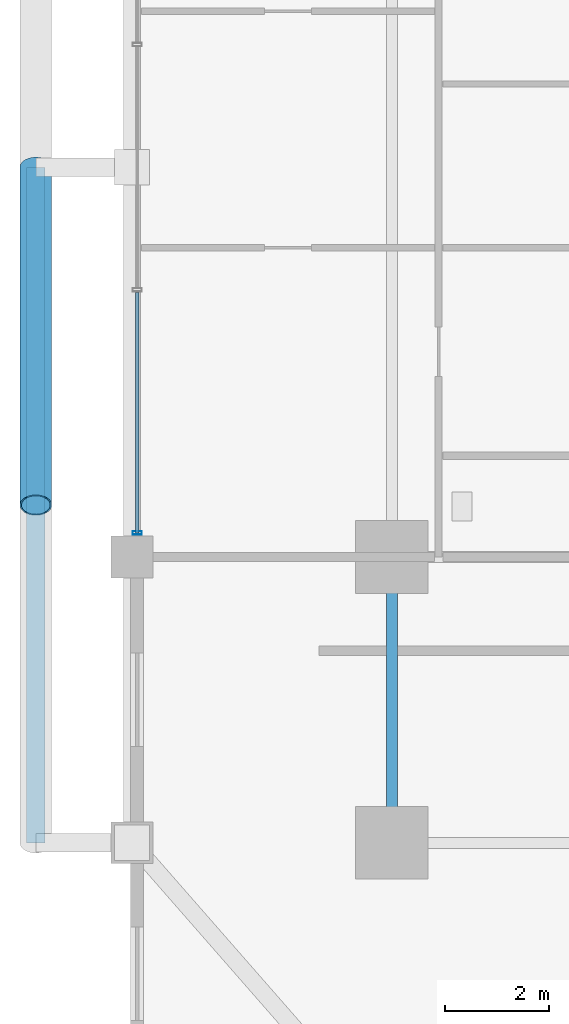
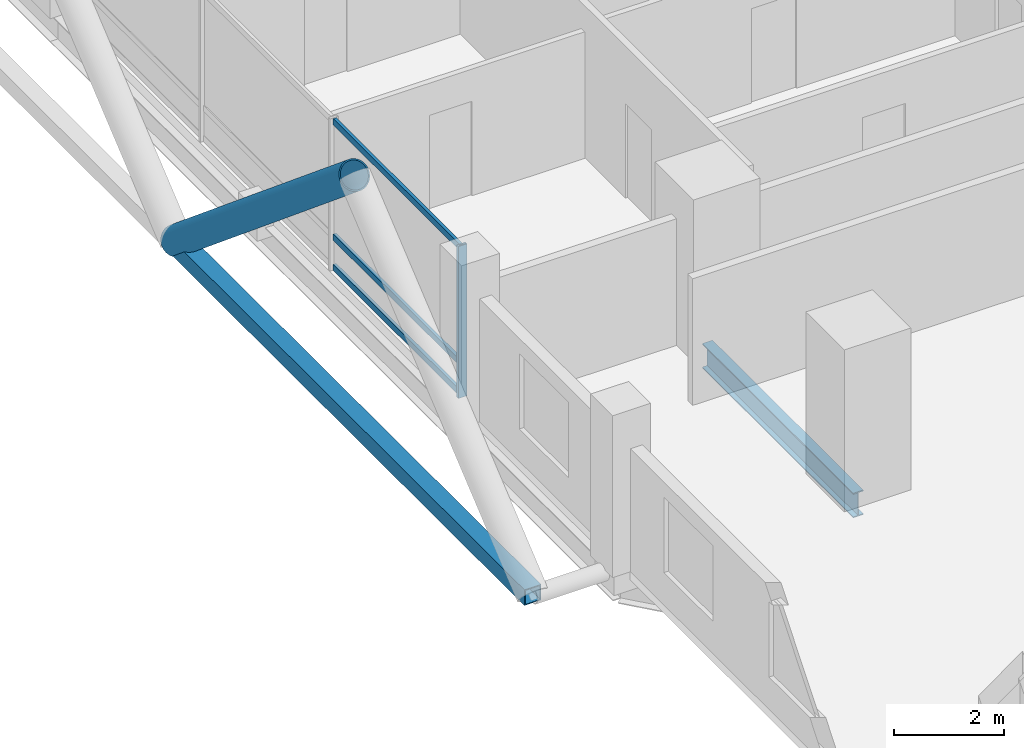
# One storey, part 6 of 27: 6 members, 1 beam, 1 element without a shape of its own.
"""IFC4 building model written with IfcOpenShell, lengths in metres."""

from ifc_helpers import new_model, si_unit, direction, frame, origin, origin_2d, place, context, subcontext, project, spatial, hollow_rectangle, hollow_circle, i_section, extrude, material, layer, layer_set, material_profile, profile_set, type_object, element, aggregate, save


model = new_model("IFC4")

# Units and contexts
model_context = context("Model", 3, precision=1e-05, world=origin(), true_north=direction((0.0, 1.0)))
body_context = subcontext(model_context, "Body", "Model", "MODEL_VIEW")
ifc_project = project(units=[si_unit("LENGTHUNIT", "METRE"), si_unit("AREAUNIT", "SQUARE_METRE"), si_unit("VOLUMEUNIT", "CUBIC_METRE"), si_unit("PLANEANGLEUNIT", "RADIAN"), si_unit("MASSUNIT", "GRAM", prefix="KILO")], contexts=[model_context])

# Site, building, storey
site_placement = place(None, origin())
site = spatial("IfcSite", under=ifc_project, at=site_placement, CompositionType="ELEMENT")
building_placement = place(site_placement, origin())
building = spatial("IfcBuilding", under=site, at=building_placement, Name="Barlavira Tower and Art Museum", CompositionType="ELEMENT")
storey_placement = place(building_placement, frame((0.0, 0.0, 61.199951171875)))
storey = spatial("IfcBuildingStorey", under=building, at=storey_placement, Name="L14", CompositionType="ELEMENT", Elevation=61.199951171875)

# Curtain wall, members
ifc_material_1 = material(Name="Low-iron coastal laminated glass", Category="glass")
ifc_layer = layer(ifc_material_1, 0.179931640625, Name="Low-iron coastal laminated glass")
ifc_layer_set = layer_set([ifc_layer], Name="Low-iron coastal laminated glass")
curtain_wall_type = type_object("IfcCurtainWallType", Name="Pale-Metal Unitised Curtain Wall Zone 1", PredefinedType="NOTDEFINED", material=ifc_layer_set)
curtain_wall_placement = place(storey_placement, origin())
curtain_wall = element("IfcCurtainWall", 1, at=curtain_wall_placement, inside=storey, type_object=curtain_wall_type, Name="L14 Curtain Wall CW1-L14-W-B3", PredefinedType="NOTDEFINED")
ifc_material_2 = material(Name="Pale anodised aluminium", Category="aluminium")
ifc_material_profile_1 = material_profile(ifc_material_2, hollow_rectangle(XDim=0.06494140625, YDim=0.179931640625, WallThickness=0.00390625, at=origin_2d()), Name="ALU-MULL 65x180x4")
ifc_profile_set_1 = profile_set([ifc_material_profile_1], Name="Pale anodised aluminium")
member_type_1 = type_object("IfcMemberType", Name="Curtain Wall Pale-Metal Mullion 65x180", PredefinedType="MULLION", material=ifc_profile_set_1)
member_1_placement = place(storey_placement, frame((-21.89990234375, -7.034912109375, 0.0), z_axis=(0.0, 0.0, 1.0), x_axis=(0.0, -1.0, 0.0)))
member_1 = element("IfcMember", 2, at=member_1_placement, type_object=member_type_1, Name="CW1-L14-W-B3 Mullion 3", PredefinedType="MULLION", context=body_context, shape_type="SweptSolid", body=[
    extrude(hollow_rectangle(XDim=0.06494140625, YDim=0.179931640625, WallThickness=0.00390625, at=origin_2d()), origin(), (0.0, 0.0, 1.0), 3.380126953125),
])
ifc_material_profile_2 = material_profile(ifc_material_2, hollow_rectangle(XDim=0.06494140625, YDim=0.139892578125, WallThickness=0.00390625, at=origin_2d()), Name="ALU-TRAN 65x140x4")
ifc_profile_set_2 = profile_set([ifc_material_profile_2], Name="Pale anodised aluminium")
member_type_2 = type_object("IfcMemberType", Name="Curtain Wall Pale-Metal Transom 65x140", PredefinedType="USERDEFINED", material=ifc_profile_set_2)
member_2_placement = place(storey_placement, frame((-21.89990234375, -2.405029296875, 0.070068359375), z_axis=(0.0, -1.0, 0.0), x_axis=(1.0, 0.0, 0.0)))
member_2 = element("IfcMember", 3, at=member_2_placement, type_object=member_type_2, Name="CW1-L14-W-B3 Transom 2.1", ObjectType="TRANSOM", PredefinedType="USERDEFINED", context=body_context, shape_type="SweptSolid", body=[
    extrude(hollow_rectangle(XDim=0.06494140625, YDim=0.139892578125, WallThickness=0.00390625, at=origin_2d()), origin(), (0.0, 0.0, 1.0), 4.6298828125),
])
member_3_placement = place(storey_placement, frame((-21.89990234375, -2.405029296875, 0.744140625), z_axis=(0.0, -1.0, 0.0), x_axis=(1.0, 0.0, 0.0)))
member_3 = element("IfcMember", 4, at=member_3_placement, type_object=member_type_2, Name="CW1-L14-W-B3 Transom 2.2", ObjectType="TRANSOM", PredefinedType="USERDEFINED", context=body_context, shape_type="SweptSolid", body=[
    extrude(hollow_rectangle(XDim=0.06494140625, YDim=0.139892578125, WallThickness=0.00390625, at=origin_2d()), origin(), (0.0, 0.0, 1.0), 4.6298828125),
])
member_4_placement = place(storey_placement, frame((-21.89990234375, -2.405029296875, 3.31005859375), z_axis=(0.0, -1.0, 0.0), x_axis=(1.0, 0.0, 0.0)))
member_4 = element("IfcMember", 5, at=member_4_placement, type_object=member_type_2, Name="CW1-L14-W-B3 Transom 2.3", ObjectType="TRANSOM", PredefinedType="USERDEFINED", context=body_context, shape_type="SweptSolid", body=[
    extrude(hollow_rectangle(XDim=0.06494140625, YDim=0.139892578125, WallThickness=0.00390625, at=origin_2d()), origin(), (0.0, 0.0, 1.0), 4.6298828125),
])
aggregate(curtain_wall, [member_1, member_2, member_3, member_4])

# Members
ifc_material_3 = material(Name="Steel S355", Category="steel")
ifc_material_profile_3 = material_profile(ifc_material_3, hollow_circle(Radius=0.304931640625, WallThickness=0.028076171875, at=origin_2d()), Name="CHS 610.0x28.0")
ifc_profile_set_3 = profile_set([ifc_material_profile_3], Name="Steel S355")
member_type_3 = type_object("IfcMemberType", Name="Pale-Metal Exoskeleton Diagrid Tube CHS 610x28 Steel S355", PredefinedType="BRACE", material=ifc_profile_set_3)
member_5_placement = place(storey_placement, frame((-23.85009765625, 0.0, -0.119873046875), z_axis=(0.0, -0.769196053329, 0.639012857104), x_axis=(1.0, 0.0, 0.0)))
element("IfcMember", 6, at=member_5_placement, inside=storey, type_object=member_type_3, Name="L14 Exoskeleton Diagrid Tube W", PredefinedType="BRACE", context=body_context, shape_type="SweptSolid", body=[
    extrude(hollow_circle(Radius=0.304931640625, WallThickness=0.028076171875, at=origin_2d()), origin(), (0.0, 0.0, 1.0), 8.450439453125),
])
ifc_material_profile_4 = material_profile(ifc_material_3, hollow_rectangle(XDim=0.35009765625, YDim=0.35009765625, WallThickness=0.02001953125, at=origin_2d()), Name="SHS 350x350x20.0")
ifc_profile_set_4 = profile_set([ifc_material_profile_4], Name="Steel S355")
member_type_4 = type_object("IfcMemberType", Name="Pale-Metal Exoskeleton Ring Strut SHS 350x350x20 Steel S355", PredefinedType="STRUT", material=ifc_profile_set_4)
member_6_placement = place(storey_placement, frame((-23.85009765625, -13.0, -0.119873046875), z_axis=(0.0, 1.0, 0.0), x_axis=(-1.0, 0.0, 0.0)))
element("IfcMember", 7, at=member_6_placement, inside=storey, type_object=member_type_4, Name="L14 Exoskeleton Ring Strut W", PredefinedType="STRUT", context=body_context, shape_type="SweptSolid", body=[
    extrude(hollow_rectangle(XDim=0.35009765625, YDim=0.35009765625, WallThickness=0.02001953125, at=origin_2d()), origin(), (0.0, 0.0, 1.0), 13.0),
])

# Beam
ifc_material_profile_5 = material_profile(ifc_material_3, i_section(OverallWidth=0.214111328125, OverallDepth=0.549072265625, WebThickness=0.0146484375, FlangeThickness=0.023681640625, at=origin_2d()), Name="W530x138.0")
ifc_profile_set_5 = profile_set([ifc_material_profile_5], Name="Steel S355")
beam_type = type_object("IfcBeamType", Name="Zone 1 Primary Floor Girder W530x138 Steel S355", PredefinedType="BEAM", material=ifc_profile_set_5)
beam_placement = place(storey_placement, frame((-17.0, -13.0, -0.494384765625), z_axis=(0.0, 1.0, 0.0), x_axis=(-1.0, 0.0, 0.0)))
element("IfcBeam", 8, at=beam_placement, inside=storey, type_object=beam_type, Name="L14 Girder M-W1", PredefinedType="BEAM", context=body_context, shape_type="SweptSolid", body=[
    extrude(i_section(OverallWidth=0.214111328125, OverallDepth=0.549072265625, WebThickness=0.0146484375, FlangeThickness=0.023681640625, at=origin_2d()), origin(), (0.0, 0.0, 1.0), 5.5),
])

save(model, "model.ifc")
